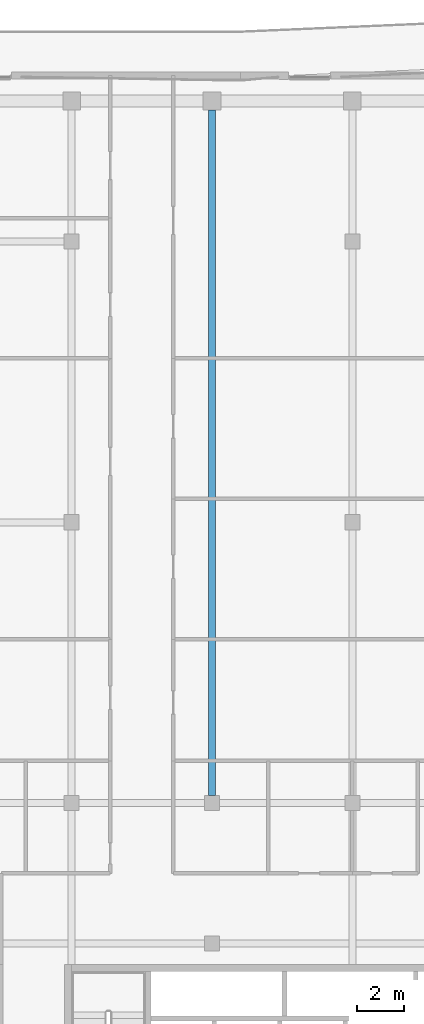
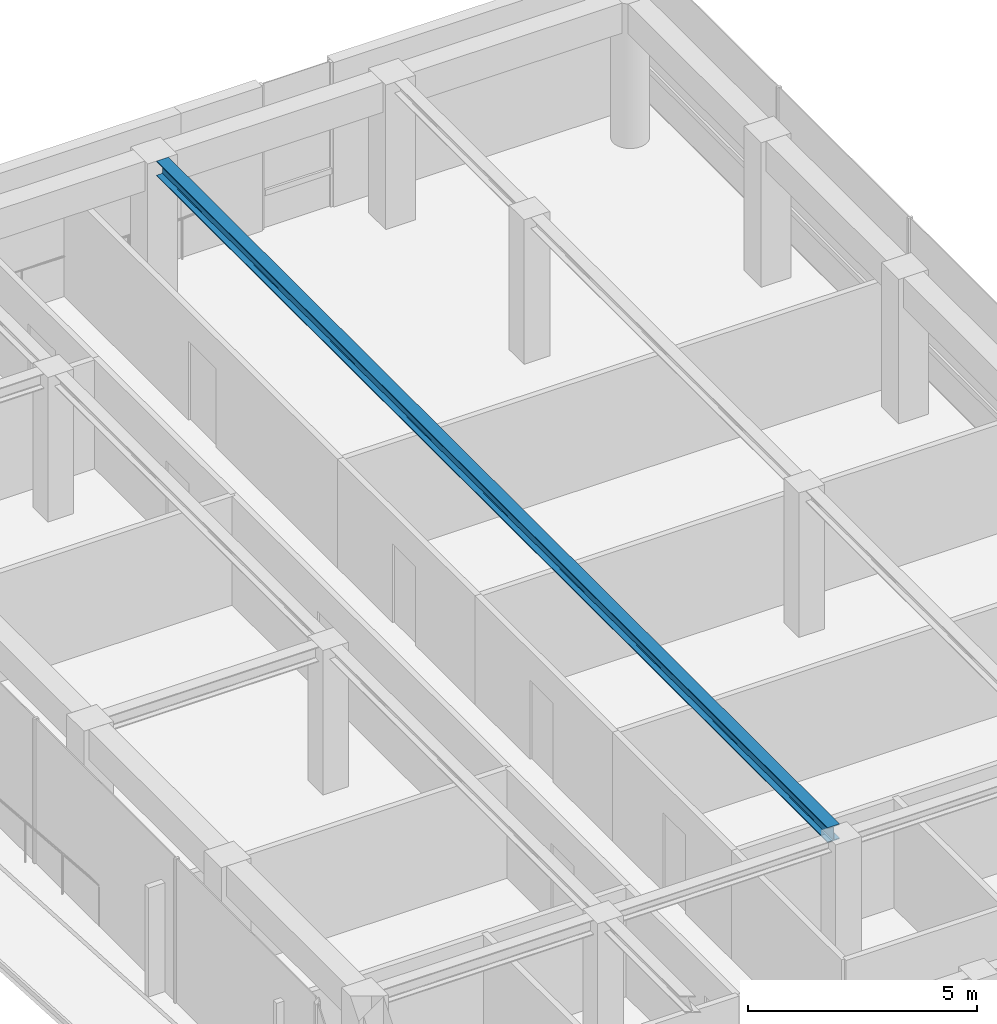
# One storey, part 11 of 20: 1 beam.
"""IFC4 building model written with IfcOpenShell, lengths in metres."""

from ifc_helpers import new_model, si_unit, direction, frame, origin, origin_2d, place, context, subcontext, project, spatial, i_section, extrude, material, material_profile, profile_set, type_object, element, save


model = new_model("IFC4")

# Units and contexts
model_context = context("Model", 3, precision=1e-05, world=origin(), true_north=direction((0.0, 1.0)))
body_context = subcontext(model_context, "Body", "Model", "MODEL_VIEW")
ifc_project = project(units=[si_unit("LENGTHUNIT", "METRE"), si_unit("AREAUNIT", "SQUARE_METRE"), si_unit("VOLUMEUNIT", "CUBIC_METRE"), si_unit("PLANEANGLEUNIT", "RADIAN"), si_unit("MASSUNIT", "GRAM", prefix="KILO")], contexts=[model_context])

# Site, building, storey
site_placement = place(None, origin())
site = spatial("IfcSite", under=ifc_project, at=site_placement, CompositionType="ELEMENT")
building_placement = place(site_placement, origin())
building = spatial("IfcBuilding", under=site, at=building_placement, Name="Welwitschia Terrace Campus", CompositionType="ELEMENT")
storey_placement = place(building_placement, frame((0.0, 0.0, 297.800048828125)))
storey = spatial("IfcBuildingStorey", under=building, at=storey_placement, Name="L66", CompositionType="ELEMENT", Elevation=297.800048828125)

# Beam
ifc_material = material(Name="Steel S355", Category="steel")
ifc_material_profile = material_profile(ifc_material, i_section(OverallWidth=0.300048828125, OverallDepth=0.39990234375, WebThickness=0.013427734375, FlangeThickness=0.02392578125, FilletRadius=0.027099609375, at=origin_2d()))
ifc_profile_set = profile_set([ifc_material_profile], Name="Steel S355")
beam_type = type_object("IfcBeamType", Name="Primary beam HE 400 B", PredefinedType="BEAM", material=ifc_profile_set)
beam_placement = place(storey_placement, frame((12.0, 61.62451171875, 3.64990234375), z_axis=(0.0, -1.0, 0.0), x_axis=(1.0, 0.0, 0.0)))
element("IfcBeam", 1, at=beam_placement, inside=storey, type_object=beam_type, Name="Primary beam PB6", PredefinedType="BEAM", context=body_context, shape_type="SweptSolid", body=[
    extrude(i_section(OverallWidth=0.300048828125, OverallDepth=0.39990234375, WebThickness=0.013427734375, FlangeThickness=0.02392578125, FilletRadius=0.027099609375, at=origin_2d()), origin(), (0.0, 0.0, 1.0), 29.299072265625),
])

save(model, "model.ifc")
